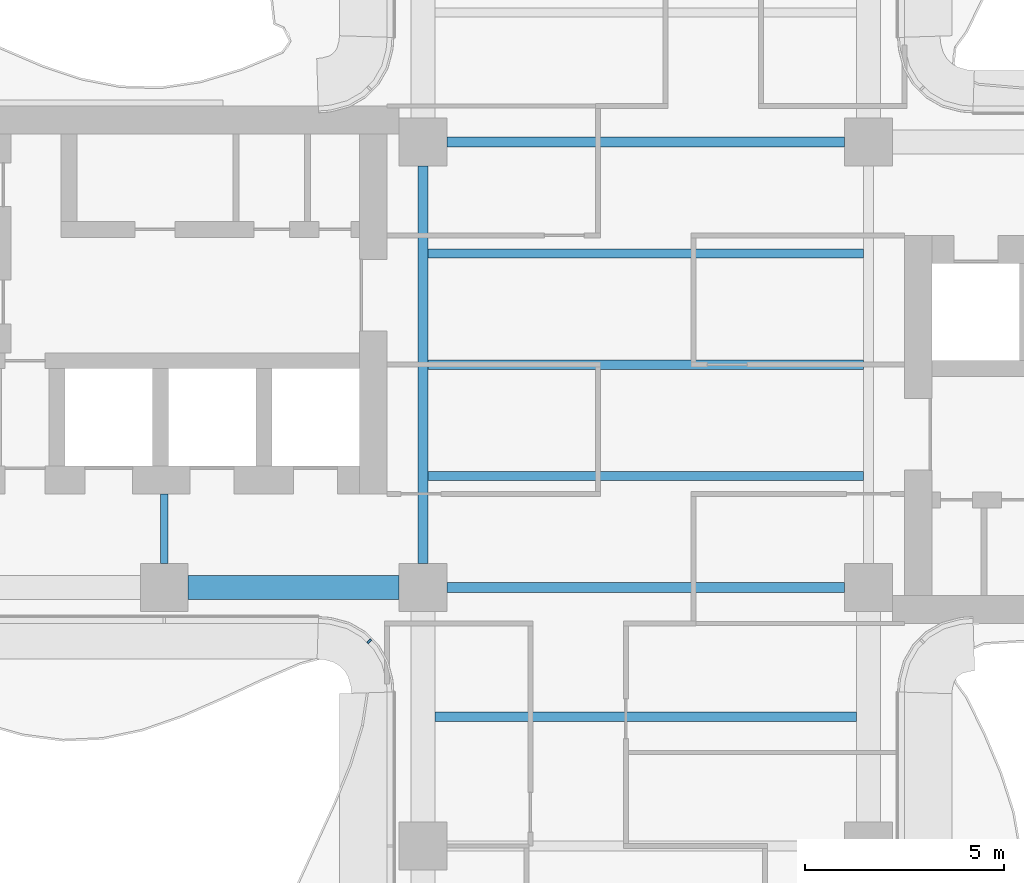
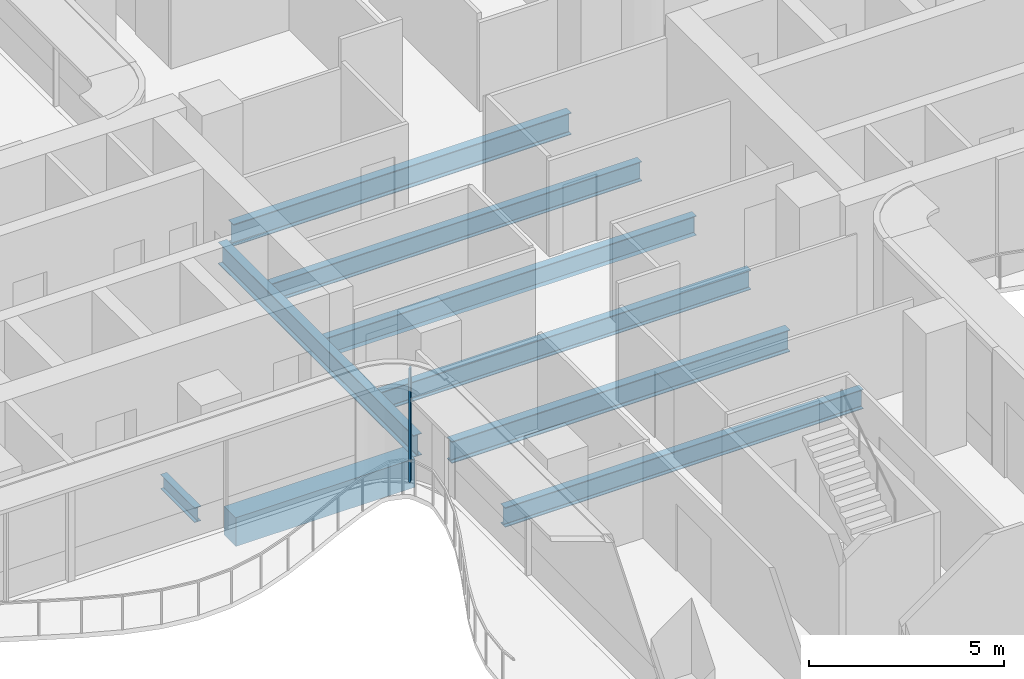
# One storey, part 4 of 17: 9 beams, 1 member, 1 element without a shape of its own.
"""IFC4 building model written with IfcOpenShell, lengths in metres."""

from ifc_helpers import new_model, si_unit, direction, frame, origin, origin_2d, place, context, subcontext, project, spatial, rectangle, i_section, extrude, source, transform, mapped, material, layer, layer_set, material_profile, profile_set, type_object, element, aggregate, save


model = new_model("IFC4")

# Units and contexts
model_context = context("Model", 3, precision=1e-05, world=origin(), true_north=direction((0.0, 1.0)))
body_context = subcontext(model_context, "Body", "Model", "MODEL_VIEW")
ifc_project = project(units=[si_unit("LENGTHUNIT", "METRE"), si_unit("AREAUNIT", "SQUARE_METRE"), si_unit("VOLUMEUNIT", "CUBIC_METRE"), si_unit("PLANEANGLEUNIT", "RADIAN"), si_unit("MASSUNIT", "GRAM", prefix="KILO")], contexts=[model_context])

# Site, building, storey
site_placement = place(None, origin())
site = spatial("IfcSite", under=ifc_project, at=site_placement, CompositionType="ELEMENT")
building_placement = place(site_placement, origin())
building = spatial("IfcBuilding", under=site, at=building_placement, Name="Trellis Farm Tower", CompositionType="ELEMENT")
storey_placement = place(building_placement, frame((0.0, 0.0, 185.39990234375)))
storey = spatial("IfcBuildingStorey", under=building, at=storey_placement, Name="L40", CompositionType="ELEMENT", Elevation=185.39990234375)

# Beams
ifc_material_1 = material(Name="Concrete C60/75", Category="concrete")
ifc_material_profile_1 = material_profile(ifc_material_1, rectangle(XDim=0.60009765625, YDim=0.89990234375, at=origin_2d()), Name="RC spandrel beam 600x900 C60/75")
ifc_profile_set_1 = profile_set([ifc_material_profile_1], Name="Concrete C60/75")
beam_type_1 = type_object("IfcBeamType", Name="RC spandrel beam 600x900 C60/75", PredefinedType="SPANDREL", material=ifc_profile_set_1)
shared_shape_1 = source(origin(), body_context, "Body", "SweptSolid", [
    extrude(rectangle(XDim=0.60009765625, YDim=0.89990234375, at=origin_2d()), origin(), (0.0, 0.0, 1.0), 5.300048828125),
])
beam_1_placement = place(storey_placement, frame((-11.5, -5.60009765625, -0.64990234375), z_axis=(1.0, 0.0, 0.0), x_axis=(0.0, 1.0, 0.0)))
element("IfcBeam", 1, at=beam_1_placement, inside=storey, type_object=beam_type_1, Name="Girder", PredefinedType="SPANDREL", context=body_context, shape_type="MappedRepresentation", body=[
    mapped(shared_shape_1, transform((0.0, 0.0, 0.0))),
])
ifc_material_2 = material(Name="Steel S355", Category="steel")
ifc_material_profile_2 = material_profile(ifc_material_2, i_section(OverallWidth=0.253662109375, OverallDepth=0.68359375, WebThickness=0.012451171875, FlangeThickness=0.021728515625, FilletRadius=0.01513671875, at=origin_2d()), Name="UB 686x254x140")
ifc_profile_set_2 = profile_set([ifc_material_profile_2], Name="Steel S355")
beam_type_2 = type_object("IfcBeamType", Name="UB 686x254x140", PredefinedType="BEAM", material=ifc_profile_set_2)
shared_shape_2 = source(origin(), body_context, "Body", "SweptSolid", [
    extrude(i_section(OverallWidth=0.253662109375, OverallDepth=0.68359375, WebThickness=0.012451171875, FlangeThickness=0.021728515625, FilletRadius=0.01513671875, at=origin_2d()), origin(), (0.0, 0.0, 1.0), 10.0),
])
for number, where, z_axis, x_axis, name in (
    (2, (-5.0, -5.60009765625, -0.54150390625), (1.0, 0.0, 0.0), (0.0, 1.0, 0.0), "Girder"),
    (3, (-5.0, 5.60009765625, -0.54150390625), (1.0, 0.0, 0.0), (0.0, 1.0, 0.0), "Girder"),
    (4, (-5.60009765625, -5.0, -0.54150390625), (0.0, 1.0, 0.0), (-1.0, 0.0, 0.0), "Girder"),
):
    element("IfcBeam", number, at=place(storey_placement, frame(where, z_axis=z_axis, x_axis=x_axis)), inside=storey, type_object=beam_type_2, Name=name, PredefinedType="BEAM", context=body_context, shape_type="MappedRepresentation", body=[
        mapped(shared_shape_2, transform((0.0, 0.0, 0.0))),
    ])
ifc_material_profile_3 = material_profile(ifc_material_2, i_section(OverallWidth=0.1904296875, OverallDepth=0.45703125, WebThickness=0.009033203125, FlangeThickness=0.014404296875, FilletRadius=0.01025390625, at=origin_2d()), Name="UB 457x191x74")
ifc_profile_set_3 = profile_set([ifc_material_profile_3], Name="Steel S355")
beam_type_3 = type_object("IfcBeamType", Name="UB 457x191x74", PredefinedType="BEAM", material=ifc_profile_set_3)
shared_shape_3 = source(origin(), body_context, "Body", "SweptSolid", [
    extrude(i_section(OverallWidth=0.1904296875, OverallDepth=0.45703125, WebThickness=0.009033203125, FlangeThickness=0.014404296875, FilletRadius=0.01025390625, at=origin_2d()), origin(), (0.0, 0.0, 1.0), 1.75),
])
beam_2_placement = place(storey_placement, frame((-12.10009765625, -5.0, -0.428466796875), z_axis=(0.0, 1.0, 0.0), x_axis=(-1.0, 0.0, 0.0)))
element("IfcBeam", 5, at=beam_2_placement, inside=storey, type_object=beam_type_3, Name="Girder", PredefinedType="BEAM", context=body_context, shape_type="MappedRepresentation", body=[
    mapped(shared_shape_3, transform((0.0, 0.0, 0.0))),
])
ifc_material_profile_4 = material_profile(ifc_material_2, i_section(OverallWidth=0.22900390625, OverallDepth=0.6123046875, WebThickness=0.011962890625, FlangeThickness=0.01953125, FilletRadius=0.0126953125, at=origin_2d()), Name="UB 610x229x125")
ifc_profile_set_4 = profile_set([ifc_material_profile_4], Name="Steel S355")
beam_type_4 = type_object("IfcBeamType", Name="UB 610x229x125 joist", PredefinedType="JOIST", material=ifc_profile_set_4)
shared_shape_4 = source(origin(), body_context, "Body", "SweptSolid", [
    extrude(i_section(OverallWidth=0.22900390625, OverallDepth=0.6123046875, WebThickness=0.011962890625, FlangeThickness=0.01953125, FilletRadius=0.0126953125, at=origin_2d()), origin(), (0.0, 0.0, 1.0), 10.9462890625),
])
for number, where, z_axis, x_axis, name in (
    (6, (-5.47314453125, -2.800048828125, -0.506103515625), (1.0, 0.0, 0.0), (0.0, 1.0, 0.0), "Floor beam"),
    (7, (-5.47314453125, 0.0, -0.506103515625), (1.0, 0.0, 0.0), (0.0, 1.0, 0.0), "Floor beam"),
    (8, (-5.47314453125, 2.800048828125, -0.506103515625), (1.0, 0.0, 0.0), (0.0, 1.0, 0.0), "Floor beam"),
):
    element("IfcBeam", number, at=place(storey_placement, frame(where, z_axis=z_axis, x_axis=x_axis)), inside=storey, type_object=beam_type_4, Name=name, PredefinedType="JOIST", context=body_context, shape_type="MappedRepresentation", body=[
        mapped(shared_shape_4, transform((0.0, 0.0, 0.0))),
    ])
shared_shape_5 = source(origin(), body_context, "Body", "SweptSolid", [
    extrude(i_section(OverallWidth=0.22900390625, OverallDepth=0.6123046875, WebThickness=0.011962890625, FlangeThickness=0.01953125, FilletRadius=0.0126953125, at=origin_2d()), origin(), (0.0, 0.0, 1.0), 10.60009765625),
])
beam_3_placement = place(storey_placement, frame((-5.300048828125, -8.85009765625, -0.506103515625), z_axis=(1.0, 0.0, 0.0), x_axis=(0.0, 1.0, 0.0)))
element("IfcBeam", 9, at=beam_3_placement, inside=storey, type_object=beam_type_4, Name="Floor beam", PredefinedType="JOIST", context=body_context, shape_type="MappedRepresentation", body=[
    mapped(shared_shape_5, transform((0.0, 0.0, 0.0))),
])

# Curtain wall, member
ifc_material_3 = material(Name="Aluminium and glass curtain wall", Category="aluminium")
ifc_layer = layer(ifc_material_3, 0.166015625)
ifc_layer_set = layer_set([ifc_layer], Name="WINTER GARDEN CURTAIN WALL CW3")
curtain_wall_type = type_object("IfcCurtainWallType", Name="WINTER GARDEN CURTAIN WALL CW3", PredefinedType="NOTDEFINED", material=ifc_layer_set)
curtain_wall_placement = place(storey_placement, origin())
curtain_wall = element("IfcCurtainWall", 10, at=curtain_wall_placement, inside=storey, type_object=curtain_wall_type, Name="CW3 001", PredefinedType="NOTDEFINED")
ifc_material_4 = material(Name="Aluminium extrusion 6063-T6", Category="aluminium")
ifc_material_profile_5 = material_profile(ifc_material_4, rectangle(XDim=0.050048828125, YDim=0.1201171875, at=origin_2d()), Name="MULLION 50x120")
ifc_profile_set_5 = profile_set([ifc_material_profile_5], Name="Aluminium extrusion 6063-T6")
member_type = type_object("IfcMemberType", Name="CW3 MULLION 50x120", PredefinedType="MULLION", material=ifc_profile_set_5)
shared_shape_6 = source(origin(), body_context, "Body", "SweptSolid", [
    extrude(rectangle(XDim=0.050048828125, YDim=0.1201171875, at=origin_2d()), origin(), (0.0, 0.0, 1.0), 3.550048828125),
])
member_placement = place(storey_placement, frame((-6.953125, -6.953125, 0.0), z_axis=(0.0, 0.0, 1.0), x_axis=(0.707106781187, -0.707106781187, 0.0)))
member = element("IfcMember", 11, at=member_placement, type_object=member_type, Name="MU3 001-01", PredefinedType="MULLION", context=body_context, shape_type="MappedRepresentation", body=[
    mapped(shared_shape_6, transform((0.0, 0.0, 0.0))),
])
aggregate(curtain_wall, [member])

save(model, "model.ifc")
